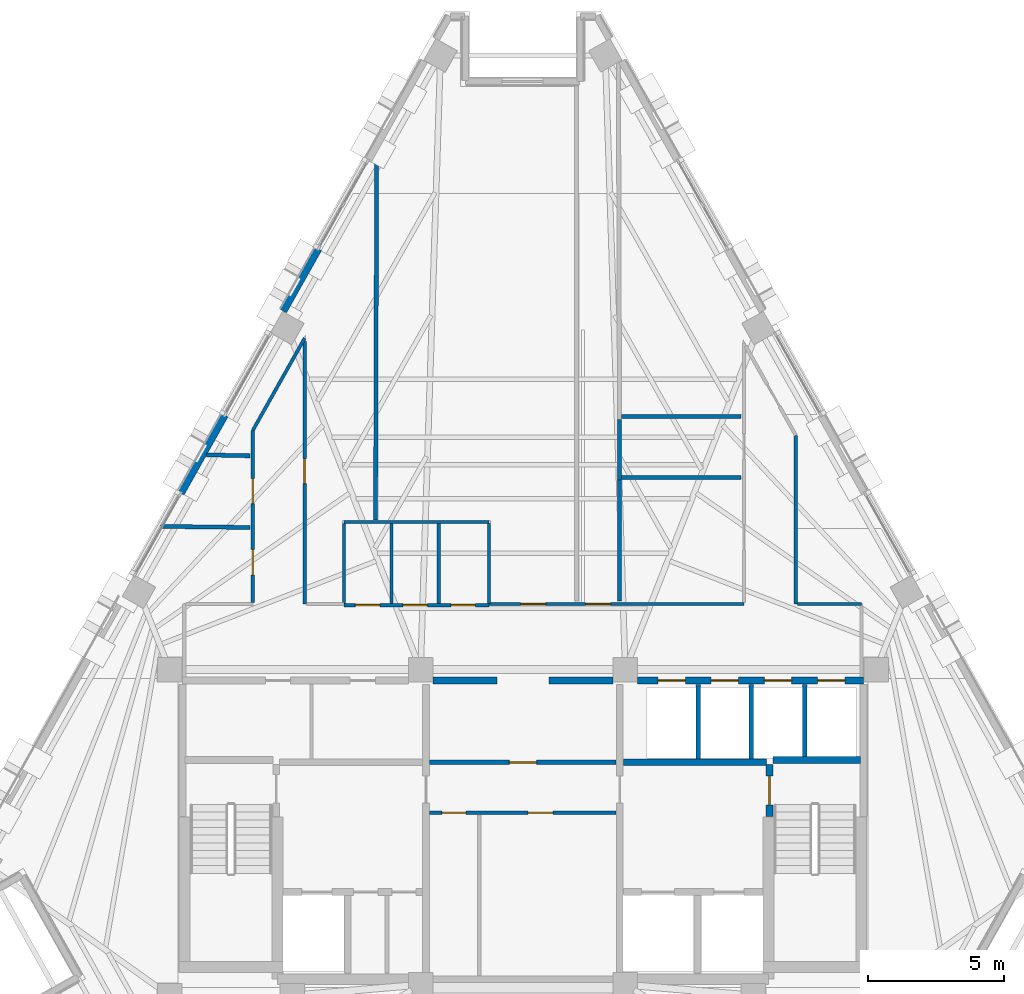
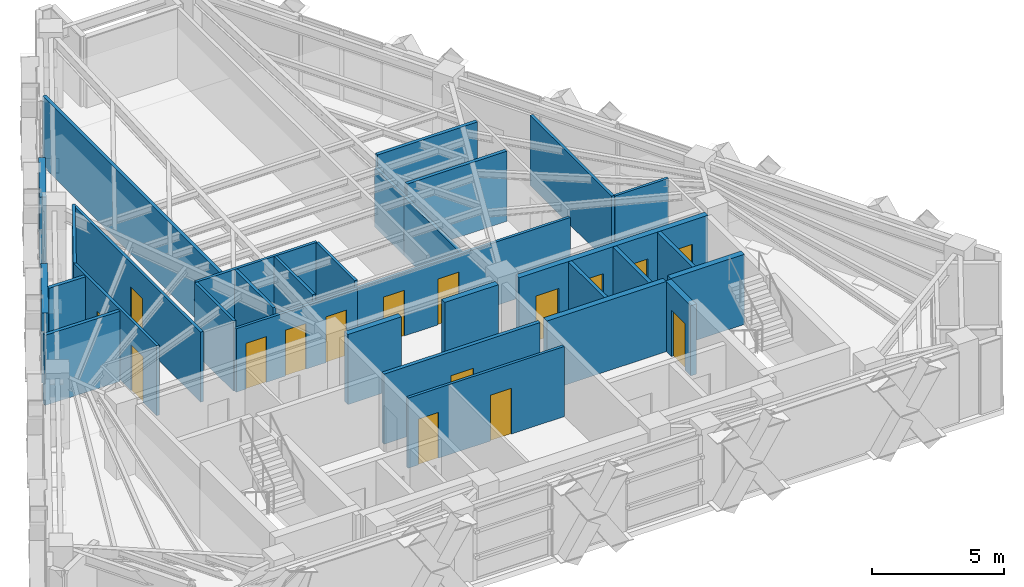
# One storey, part 8 of 12: 32 walls, 16 doors, 16 openings.
"""IFC4 building model written with IfcOpenShell, lengths in metres."""

import ifcopenshell
import ifcopenshell.guid

model = None  # the IFC model being written
_history = None  # IfcOwnerHistory: only IFC2X3 demands one
_inside = {}  # id of a spatial element -> (the spatial element, [elements in it])
_under = {}  # id of a project, library or spatial element -> (it, [spatial elements below it])
_declared = {}  # id of a project -> (the project, [libraries it declares])
_typed = {}  # id of a type object -> (the type object, [elements of that type])
_made_of = {}  # id of a material, layer set ... -> (it, [elements and type objects made of it])


def new_model(schema):
    """Start an empty IFC model of exactly this schema.

    Asked for "IFC4X3", IfcOpenShell would pick the latest addendum, in which some entities
    have other attributes; the version numbers below select the first issue.
    IFC2X3 requires an IfcOwnerHistory on every rooted entity: one is made here for all.
    """
    global model, _history
    if schema == "IFC4X3":
        model = ifcopenshell.file(schema_version=(4, 3, 0, 0))
    else:
        model = ifcopenshell.file(schema=schema)
    _inside.clear()
    _under.clear()
    _declared.clear()
    _typed.clear()
    _made_of.clear()
    _history = None
    if model.schema == "IFC2X3":
        org = make("IfcOrganization", Name="unknown")
        user = make(
            "IfcPersonAndOrganization",
            ThePerson=make("IfcPerson", FamilyName="unknown"),
            TheOrganization=org,
        )
        app = make(
            "IfcApplication",
            ApplicationDeveloper=org,
            Version="unknown",
            ApplicationFullName="unknown",
            ApplicationIdentifier="unknown",
        )
        _history = make(
            "IfcOwnerHistory",
            OwningUser=user,
            OwningApplication=app,
            ChangeAction="ADDED",
            CreationDate=0,
        )
    return model


def make(cls, **values):
    """One entity of the class cls with the attributes given. An attribute that is None is left unset."""
    return model.create_entity(
        cls, **{name: value for name, value in values.items() if value is not None}
    )


def rooted(cls, **values):
    """An entity with a GlobalId (a new one), such as an element, a storey or a relation."""
    return make(cls, GlobalId=ifcopenshell.guid.new(), OwnerHistory=_history, **values)


def si_unit(unit_type, name, prefix=None):
    """IfcSIUnit, for example si_unit("LENGTHUNIT", "METRE", prefix="MILLI")."""
    return make("IfcSIUnit", UnitType=unit_type, Prefix=prefix, Name=name)


def assignment(units):
    """IfcUnitAssignment: the units of a project."""
    return None if units is None else make("IfcUnitAssignment", Units=units)


def point(xyz):
    """IfcCartesianPoint."""
    return None if xyz is None else make("IfcCartesianPoint", Coordinates=xyz)


def direction(xyz):
    """IfcDirection."""
    return None if xyz is None else make("IfcDirection", DirectionRatios=xyz)


def frame(location, z_axis=None, x_axis=None):
    """IfcAxis2Placement3D, a coordinate frame: its origin and axes. An axis left out is left unset."""
    return make(
        "IfcAxis2Placement3D",
        Location=point(location),
        Axis=direction(z_axis),
        RefDirection=direction(x_axis),
    )


def frame_2d(location, x_axis=None):
    """IfcAxis2Placement2D, a coordinate frame in the plane: its origin and x axis."""
    return make(
        "IfcAxis2Placement2D", Location=point(location), RefDirection=direction(x_axis)
    )


def origin():
    """The frame at (0, 0, 0) with its axes left unset."""
    return frame((0.0, 0.0, 0.0))


def place(relative_to, where):
    """IfcLocalPlacement: puts the frame where relative to a parent placement (None: the world)."""
    return make(
        "IfcLocalPlacement", PlacementRelTo=relative_to, RelativePlacement=where
    )


def context(
    kind, dimensions, precision=None, world=None, true_north=None, identifier=None
):
    """IfcGeometricRepresentationContext, for example the 3D "Model" context."""
    return make(
        "IfcGeometricRepresentationContext",
        ContextIdentifier=identifier,
        ContextType=kind,
        CoordinateSpaceDimension=dimensions,
        Precision=precision,
        WorldCoordinateSystem=world,
        TrueNorth=true_north,
    )


def subcontext(parent, identifier, kind, view, scale=None):
    """IfcGeometricRepresentationSubContext, for example "Body" below "Model"."""
    return make(
        "IfcGeometricRepresentationSubContext",
        ContextIdentifier=identifier,
        ContextType=kind,
        ParentContext=parent,
        TargetScale=scale,
        TargetView=view,
    )


def project(units=None, contexts=None):
    """IfcProject with its units and contexts."""
    return rooted(
        "IfcProject",
        Name="project",
        RepresentationContexts=contexts,
        UnitsInContext=assignment(units),
    )


def spatial(cls, under=None, at=None, **own):
    """A site, building, storey or space (cls), placed at a placement, below another one or the project."""
    s = rooted(cls, ObjectPlacement=at, **own)
    if under is not None:
        _under.setdefault(under.id(), (under, []))[1].append(s)
    return s


def profile(cls, at=None, kind="AREA", **sizes):
    """A parametric profile (cls). Its sizes go by their IFC names, for example OverallWidth=200.0."""
    return make(cls, ProfileType=kind, Position=at, **sizes)


def rectangle(**sizes):
    """IfcRectangleProfileDef."""
    return profile("IfcRectangleProfileDef", **sizes)


def extrude(swept, where, along, depth):
    """IfcExtrudedAreaSolid: the profile swept, set in the frame where, extruded along a direction by depth."""
    return make(
        "IfcExtrudedAreaSolid",
        SweptArea=swept,
        Position=where,
        ExtrudedDirection=direction(along),
        Depth=depth,
    )


def shape(context_of_items, identifier, shape_type, items):
    """IfcShapeRepresentation: the items that make up one representation, for example the "Body"."""
    return make(
        "IfcShapeRepresentation",
        ContextOfItems=context_of_items,
        RepresentationIdentifier=identifier,
        RepresentationType=shape_type,
        Items=items,
    )


def material(Name=None, Category=None):
    """IfcMaterial."""
    return make("IfcMaterial", Name=Name, Category=Category)


def layer(
    of_material, thickness, ventilated=None, Name=None, Category=None, Priority=None
):
    """IfcMaterialLayer: one layer of a wall or slab, of a material (None: an air gap)."""
    return make(
        "IfcMaterialLayer",
        Material=of_material,
        LayerThickness=thickness,
        IsVentilated=ventilated,
        Name=Name,
        Category=Category,
        Priority=Priority,
    )


def layer_set(layers, Name=None):
    """IfcMaterialLayerSet."""
    return make("IfcMaterialLayerSet", MaterialLayers=layers, LayerSetName=Name)


def made_of(thing, what):
    """Note that an element or type object is made of a material, layer set ...; save() writes the relation."""
    if what is not None:
        _made_of.setdefault(what.id(), (what, []))[1].append(thing)
    return thing


def type_object(cls, material=None, **own):
    """A type object (cls), such as IfcWallType, which elements share."""
    return made_of(rooted(cls, **own), material)


def element(
    cls,
    number,
    at=None,
    inside=None,
    cuts=None,
    type_object=None,
    material=None,
    context=None,
    identifier="Body",
    shape_type=None,
    held_by="IfcProductDefinitionShape",
    body=None,
    shapes=None,
    **own,
):
    """One element of the class cls, such as IfcWall. Its Tag is "e" and its number.

    at: its placement. inside: the storey or other place that contains it. cuts: it is an
    opening in that element (IfcRelVoidsElement). A single representation is given by context,
    identifier, shape_type and body (its items); several are given by shapes. held_by: the class
    of the entity that holds the representations. save() writes the other relations.
    """
    e = rooted(cls, Tag="e%d" % number, ObjectPlacement=at, **own)
    if body is not None:
        shapes = [shape(context, identifier, shape_type, body)]
    if shapes is not None:
        e.Representation = make(held_by, Representations=shapes)
    if inside is not None:
        _inside.setdefault(inside.id(), (inside, []))[1].append(e)
    if cuts is not None:
        rooted(
            "IfcRelVoidsElement", RelatingBuildingElement=cuts, RelatedOpeningElement=e
        )
    if type_object is not None:
        _typed.setdefault(type_object.id(), (type_object, []))[1].append(e)
    return made_of(e, material)


def fill(opening, filler):
    """IfcRelFillsElement: the door or window that sits in an opening."""
    return rooted(
        "IfcRelFillsElement",
        RelatingOpeningElement=opening,
        RelatedBuildingElement=filler,
    )


def aggregate(whole, parts):
    """IfcRelAggregates: a whole, such as a stair, and the parts it consists of."""
    return rooted("IfcRelAggregates", RelatingObject=whole, RelatedObjects=parts)


def save(model, path):
    """Write the relations noted so far, then the file.

    IfcRelAggregates (storeys below a building ...), IfcRelContainedInSpatialStructure (elements
    in a storey), IfcRelDefinesByType, IfcRelAssociatesMaterial and IfcRelDeclares: one each for
    every whole, place, type object, material and project.
    """
    for whole, parts in _under.values():
        aggregate(whole, parts)
    for where, things in _inside.values():
        rooted(
            "IfcRelContainedInSpatialStructure",
            RelatedElements=things,
            RelatingStructure=where,
        )
    for kind, things in _typed.values():
        rooted("IfcRelDefinesByType", RelatedObjects=things, RelatingType=kind)
    for what, things in _made_of.values():
        rooted("IfcRelAssociatesMaterial", RelatedObjects=things, RelatingMaterial=what)
    for by, libraries in _declared.values():
        rooted("IfcRelDeclares", RelatingContext=by, RelatedDefinitions=libraries)
    model.write(path)


model = new_model("IFC4")

# Units and contexts
model_context = context("Model", 3, precision=1e-05, world=origin(), true_north=direction((0.0, 1.0)))
body_context = subcontext(model_context, "Body", "Model", "MODEL_VIEW")
ifc_project = project(units=[si_unit("LENGTHUNIT", "METRE"), si_unit("AREAUNIT", "SQUARE_METRE"), si_unit("VOLUMEUNIT", "CUBIC_METRE"), si_unit("PLANEANGLEUNIT", "RADIAN"), si_unit("MASSUNIT", "GRAM", prefix="KILO")], contexts=[model_context])

# Site, building, storey
site_placement = place(None, origin())
site = spatial("IfcSite", under=ifc_project, at=site_placement, CompositionType="ELEMENT")
building_placement = place(site_placement, origin())
building = spatial("IfcBuilding", under=site, at=building_placement, Name="Quenlor Broadcast Tower", CompositionType="ELEMENT")
storey_placement = place(building_placement, frame((0.0, 0.0, 193.89990234375)))
storey = spatial("IfcBuildingStorey", under=building, at=storey_placement, Name="L53", CompositionType="ELEMENT", Elevation=193.89990234375)

# Walls
ifc_material_1 = material(Name="Acoustic Double Stud Gypsum Partition", Category="other")
ifc_layer_1 = layer(ifc_material_1, 0.14990234375)
ifc_layer_set_1 = layer_set([ifc_layer_1], Name="Broadcast Studio Acoustic Partition 150")
wall_type_1 = type_object("IfcWallType", Name="Broadcast Studio Acoustic Partition 150", PredefinedType="PARTITIONING", material=ifc_layer_set_1)
wall_1_placement = place(storey_placement, frame((7.989990234375, 4.47314453125, 0.0), z_axis=(0.0, 0.0, 1.0), x_axis=(-1.0, 0.0, 0.0)))
element("IfcWall", 1, at=wall_1_placement, inside=storey, type_object=wall_type_1, Name="L53 Interior Wall PW-DV-02", PredefinedType="PARTITIONING", context=body_context, shape_type="SweptSolid", body=[
    extrude(rectangle(XDim=4.373046875, YDim=0.14990234375, at=frame_2d((2.1865234375, 0.0))), origin(), (0.0, 0.0, 1.0), 3.25),
])
wall_2_placement = place(storey_placement, frame((3.5400390625, 4.37109375, 0.0), z_axis=(0.0, 0.0, 1.0), x_axis=(0.0, -1.0, 0.0)))
element("IfcWall", 2, at=wall_2_placement, inside=storey, type_object=wall_type_1, Name="L53 Interior Wall PW-DV-04", PredefinedType="PARTITIONING", context=body_context, shape_type="SweptSolid", body=[
    extrude(rectangle(XDim=2.22900390625, YDim=0.14990234375, at=frame_2d((1.114501953125, 0.0))), origin(), (0.0, 0.0, 1.0), 2.721923828125),
])
wall_3_placement = place(storey_placement, frame((3.5400390625, 2.139892578125, 0.0), z_axis=(0.0, 0.0, 1.0), x_axis=(0.0, -1.0, 0.0)))
element("IfcWall", 3, at=wall_3_placement, inside=storey, type_object=wall_type_1, Name="L53 Interior Wall PW-DV-05", PredefinedType="PARTITIONING", context=body_context, shape_type="SweptSolid", body=[
    extrude(rectangle(XDim=4.429931640625, YDim=0.14990234375, at=frame_2d((2.21484375, 0.0))), origin(), (0.0, 0.0, 1.0), 2.721923828125),
])
wall_4_placement = place(storey_placement, frame((-5.39990234375, 0.672119140625, 0.0), z_axis=(0.0, 0.0, 1.0), x_axis=(0.002918134461, 0.999995742237, 0.0)))
element("IfcWall", 4, at=wall_4_placement, inside=storey, type_object=wall_type_1, Name="L53 Interior Wall PW-DV-06", PredefinedType="PARTITIONING", context=body_context, shape_type="SweptSolid", body=[
    extrude(rectangle(XDim=13.4697265625, YDim=0.14990234375, at=frame_2d((6.73486328125, 0.0))), origin(), (0.0, 0.0, 1.0), 3.25),
])
wall_5_placement = place(storey_placement, frame((-10.010009765625, 3.033447265625, 0.0), z_axis=(0.0, 0.0, 1.0), x_axis=(-0.999766045799, 0.021629925268, 0.0)))
element("IfcWall", 5, at=wall_5_placement, inside=storey, type_object=wall_type_1, Name="L53 Interior Wall PW-DV-07", PredefinedType="PARTITIONING", context=body_context, shape_type="SweptSolid", body=[
    extrude(rectangle(XDim=1.580322265625, YDim=0.14990234375, at=frame_2d((0.7900390625, 0.0))), origin(), (0.0, 0.0, 1.0), 3.25),
])
wall_6_placement = place(storey_placement, frame((7.989990234375, 2.241943359375, 0.0), z_axis=(0.0, 0.0, 1.0), x_axis=(-1.0, 0.0, 0.0)))
element("IfcWall", 6, at=wall_6_placement, inside=storey, type_object=wall_type_1, Name="L53 Interior Wall PW-DV-08", PredefinedType="PARTITIONING", context=body_context, shape_type="SweptSolid", body=[
    extrude(rectangle(XDim=4.373046875, YDim=0.14990234375, at=frame_2d((2.1865234375, 0.0))), origin(), (0.0, 0.0, 1.0), 3.25),
])
wall_7_placement = place(storey_placement, frame((-10.010009765625, 0.406494140625, 0.0), z_axis=(0.0, 0.0, 1.0), x_axis=(-0.999926820202, 0.012097695659, 0.0)))
element("IfcWall", 7, at=wall_7_placement, inside=storey, type_object=wall_type_1, Name="L53 Interior Wall PW-DV-09", PredefinedType="PARTITIONING", context=body_context, shape_type="SweptSolid", body=[
    extrude(rectangle(XDim=3.269287109375, YDim=0.14990234375, at=frame_2d((1.634765625, 0.0))), origin(), (0.0, 0.0, 1.0), 3.25),
])

# Wall, opening, door
ifc_material_2 = material(Name="Concrete C40/50", Category="concrete")
ifc_layer_2 = layer(ifc_material_2, 0.25)
ifc_layer_set_2 = layer_set([ifc_layer_2], Name="Fire Rated Concrete C40/50 Core Wall 250")
wall_type_2 = type_object("IfcWallType", Name="Fire Rated Concrete C40/50 Core Wall 250", PredefinedType="PARTITIONING", material=ifc_layer_set_2)
wall_8_placement = place(storey_placement, frame((9.0400390625, -10.179931640625, 0.0), z_axis=(0.0, 0.0, 1.0), x_axis=(0.0, 1.0, 0.0)))
wall_8 = element("IfcWall", 8, at=wall_8_placement, inside=storey, type_object=wall_type_2, Name="L53 Interior Wall CW-ST2-DR", PredefinedType="PARTITIONING", context=body_context, shape_type="SweptSolid", body=[
    extrude(rectangle(XDim=1.89990234375, YDim=0.25, at=frame_2d((0.949951171875, 0.0))), origin(), (0.0, 0.0, 1.0), 3.25),
])
opening_1_placement = place(wall_8_placement, frame((0.419921875, 0.0, 0.0)))
opening_1 = element("IfcOpeningElement", 9, at=opening_1_placement, cuts=wall_8, Name="Opening FD-1", PredefinedType="OPENING", context=body_context, shape_type="SweptSolid", body=[
    extrude(rectangle(XDim=1.050048828125, YDim=2.14990234375, at=frame_2d((0.52490234375, 1.074951171875))), frame((0.0, 0.135009765625, 0.0), z_axis=(0.0, -1.0, 0.0), x_axis=(1.0, 0.0, 0.0)), (0.0, 0.0, 1.0), 0.27001953125),
])
ifc_material_3 = material(Name="Fire Rated Steel Door Leaf", Category="steel")
door_type_1 = type_object("IfcDoorType", Name="Fire Isolated Stair Door 1050x2150", OperationType="NOTDEFINED", PredefinedType="DOOR", material=ifc_material_3)
door_1_placement = place(opening_1_placement, origin())
door_1 = element("IfcDoor", 10, at=door_1_placement, inside=storey, type_object=door_type_1, Name="L53 Door DR-ST2", OperationType="SINGLE_SWING_RIGHT", OverallHeight=2.14990234375, OverallWidth=1.050048828125, PredefinedType="DOOR", context=body_context, shape_type="SweptSolid", body=[
    extrude(rectangle(XDim=1.050048828125, YDim=2.14990234375, at=frame_2d((0.52490234375, 1.074951171875))), frame((0.0, 0.02490234375, 0.0), z_axis=(0.0, -1.0, 0.0), x_axis=(1.0, 0.0, 0.0)), (0.0, 0.0, 1.0), 0.050048828125),
])
fill(opening_1, door_1)

# Walls
wall_9_placement = place(storey_placement, frame((9.159912109375, -8.1201171875, 0.0), z_axis=(0.0, 0.0, 1.0), x_axis=(1.0, 0.0, 0.0)))
element("IfcWall", 11, at=wall_9_placement, inside=storey, type_object=wall_type_2, Name="L53 Interior Wall CW-ST2-N", PredefinedType="PARTITIONING", context=body_context, shape_type="SweptSolid", body=[
    extrude(rectangle(XDim=3.219970703125, YDim=0.25, at=frame_2d((1.60986328125, 0.0))), origin(), (0.0, 0.0, 1.0), 3.25),
])
wall_10_placement = place(storey_placement, frame((3.679931640625, -8.199951171875, 0.0), z_axis=(0.0, 0.0, 1.0), x_axis=(1.0, 0.0, 0.0)))
element("IfcWall", 12, at=wall_10_placement, inside=storey, type_object=wall_type_2, Name="L53 Interior Wall CW-FFE-N", PredefinedType="PARTITIONING", context=body_context, shape_type="SweptSolid", body=[
    extrude(rectangle(XDim=5.239990234375, YDim=0.25, at=frame_2d((2.6201171875, 0.0))), origin(), (0.0, 0.0, 1.0), 3.25),
])

# Wall, openings, doors
wall_11_placement = place(storey_placement, frame((4.201904296875, -5.199951171875, 0.0), z_axis=(0.0, 0.0, 1.0), x_axis=(1.0, 0.0, 0.0)))
wall_11 = element("IfcWall", 13, at=wall_11_placement, inside=storey, type_object=wall_type_2, Name="L53 Interior Wall CW-N-E", PredefinedType="PARTITIONING", context=body_context, shape_type="SweptSolid", body=[
    extrude(rectangle(XDim=8.278076171875, YDim=0.25, at=frame_2d((4.13916015625, 0.0))), origin(), (0.0, 0.0, 1.0), 3.25),
])
opening_2_placement = place(wall_11_placement, frame((0.748046875, 0.0, 0.0)))
opening_2 = element("IfcOpeningElement", 14, at=opening_2_placement, cuts=wall_11, Name="Opening LD-PL-H1", PredefinedType="OPENING", context=body_context, shape_type="SweptSolid", body=[
    extrude(rectangle(XDim=1.0, YDim=2.14990234375, at=frame_2d((0.5, 1.074951171875))), frame((0.0, 0.135009765625, 0.0), z_axis=(0.0, -1.0, 0.0), x_axis=(1.0, 0.0, 0.0)), (0.0, 0.0, 1.0), 0.27001953125),
])
opening_3_placement = place(wall_11_placement, frame((2.697998046875, 0.0, 0.0)))
opening_3 = element("IfcOpeningElement", 15, at=opening_3_placement, cuts=wall_11, Name="Opening LD-PL-H2", PredefinedType="OPENING", context=body_context, shape_type="SweptSolid", body=[
    extrude(rectangle(XDim=1.0, YDim=2.14990234375, at=frame_2d((0.5, 1.074951171875))), frame((0.0, 0.135009765625, 0.0), z_axis=(0.0, -1.0, 0.0), x_axis=(1.0, 0.0, 0.0)), (0.0, 0.0, 1.0), 0.27001953125),
])
opening_4_placement = place(wall_11_placement, frame((4.64794921875, 0.0, 0.0)))
opening_4 = element("IfcOpeningElement", 16, at=opening_4_placement, cuts=wall_11, Name="Opening LD-PL-H3", PredefinedType="OPENING", context=body_context, shape_type="SweptSolid", body=[
    extrude(rectangle(XDim=1.0, YDim=2.14990234375, at=frame_2d((0.5, 1.074951171875))), frame((0.0, 0.135009765625, 0.0), z_axis=(0.0, -1.0, 0.0), x_axis=(1.0, 0.0, 0.0)), (0.0, 0.0, 1.0), 0.27001953125),
])
opening_5_placement = place(wall_11_placement, frame((6.597900390625, 0.0, 0.0)))
opening_5 = element("IfcOpeningElement", 17, at=opening_5_placement, cuts=wall_11, Name="Opening LD-PL-H4", PredefinedType="OPENING", context=body_context, shape_type="SweptSolid", body=[
    extrude(rectangle(XDim=1.0, YDim=2.14990234375, at=frame_2d((0.5, 1.074951171875))), frame((0.0, 0.135009765625, 0.0), z_axis=(0.0, -1.0, 0.0), x_axis=(1.0, 0.0, 0.0)), (0.0, 0.0, 1.0), 0.27001953125),
])
ifc_material_4 = material(Name="Brushed Stainless Steel", Category="steel")
door_type_2 = type_object("IfcDoorType", Name="Passenger Lift Sliding Landing Door 1000x2150", OperationType="NOTDEFINED", PredefinedType="DOOR", material=ifc_material_4)
door_2_placement = place(opening_2_placement, origin())
door_2 = element("IfcDoor", 18, at=door_2_placement, inside=storey, type_object=door_type_2, Name="L53 Door LD-PL-H1", OperationType="SLIDING_TO_RIGHT", OverallHeight=2.14990234375, OverallWidth=1.0, PredefinedType="DOOR", context=body_context, shape_type="SweptSolid", body=[
    extrude(rectangle(XDim=1.0, YDim=2.14990234375, at=frame_2d((0.5, 1.074951171875))), frame((0.0, 0.02490234375, 0.0), z_axis=(0.0, -1.0, 0.0), x_axis=(1.0, 0.0, 0.0)), (0.0, 0.0, 1.0), 0.050048828125),
])
fill(opening_2, door_2)
door_3_placement = place(opening_3_placement, origin())
door_3 = element("IfcDoor", 19, at=door_3_placement, inside=storey, type_object=door_type_2, Name="L53 Door LD-PL-H2", OperationType="SLIDING_TO_RIGHT", OverallHeight=2.14990234375, OverallWidth=1.0, PredefinedType="DOOR", context=body_context, shape_type="SweptSolid", body=[
    extrude(rectangle(XDim=1.0, YDim=2.14990234375, at=frame_2d((0.5, 1.074951171875))), frame((0.0, 0.02490234375, 0.0), z_axis=(0.0, -1.0, 0.0), x_axis=(1.0, 0.0, 0.0)), (0.0, 0.0, 1.0), 0.050048828125),
])
fill(opening_3, door_3)
door_4_placement = place(opening_4_placement, origin())
door_4 = element("IfcDoor", 20, at=door_4_placement, inside=storey, type_object=door_type_2, Name="L53 Door LD-PL-H3", OperationType="SLIDING_TO_RIGHT", OverallHeight=2.14990234375, OverallWidth=1.0, PredefinedType="DOOR", context=body_context, shape_type="SweptSolid", body=[
    extrude(rectangle(XDim=1.0, YDim=2.14990234375, at=frame_2d((0.5, 1.074951171875))), frame((0.0, 0.02490234375, 0.0), z_axis=(0.0, -1.0, 0.0), x_axis=(1.0, 0.0, 0.0)), (0.0, 0.0, 1.0), 0.050048828125),
])
fill(opening_4, door_4)
door_5_placement = place(opening_5_placement, origin())
door_5 = element("IfcDoor", 21, at=door_5_placement, inside=storey, type_object=door_type_2, Name="L53 Door LD-PL-H4", OperationType="SLIDING_TO_RIGHT", OverallHeight=2.14990234375, OverallWidth=1.0, PredefinedType="DOOR", context=body_context, shape_type="SweptSolid", body=[
    extrude(rectangle(XDim=1.0, YDim=2.14990234375, at=frame_2d((0.5, 1.074951171875))), frame((0.0, 0.02490234375, 0.0), z_axis=(0.0, -1.0, 0.0), x_axis=(1.0, 0.0, 0.0)), (0.0, 0.0, 1.0), 0.050048828125),
])
fill(opening_5, door_5)

# Walls
for number, where, z_axis, x_axis, name in (
    (22, (-3.298095703125, -5.199951171875, 0.0), (0.0, 0.0, 1.0), (1.0, 0.0, 0.0), "L53 Interior Wall CW-N-M1"),
    (23, (0.949951171875, -5.199951171875, 0.0), (0.0, 0.0, 1.0), (1.0, 0.0, 0.0), "L53 Interior Wall CW-N-M2"),
):
    element("IfcWall", number, at=place(storey_placement, frame(where, z_axis=z_axis, x_axis=x_axis)), inside=storey, type_object=wall_type_2, Name=name, PredefinedType="PARTITIONING", context=body_context, shape_type="SweptSolid", body=[
        extrude(rectangle(XDim=2.34814453125, YDim=0.25, at=frame_2d((1.174072265625, 0.0))), origin(), (0.0, 0.0, 1.0), 3.25),
    ])
ifc_material_5 = material(Name="Gypsum Fireboard Partition", Category="other")
ifc_layer_3 = layer(ifc_material_5, 0.159912109375)
ifc_layer_set_3 = layer_set([ifc_layer_3], Name="Fire Rated Shaft and Corridor Partition 160")
wall_type_3 = type_object("IfcWallType", Name="Fire Rated Shaft and Corridor Partition 160", PredefinedType="PARTITIONING", material=ifc_layer_set_3)
for number, where, z_axis, x_axis, name in (
    (24, (6.425048828125, -8.072998046875, 0.0), (0.0, 0.0, 1.0), (0.0, 1.0, 0.0), "L53 Interior Wall CW-PLH-D1"),
    (25, (8.375, -8.072998046875, 0.0), (0.0, 0.0, 1.0), (0.0, 1.0, 0.0), "L53 Interior Wall CW-PLH-D2"),
):
    element("IfcWall", number, at=place(storey_placement, frame(where, z_axis=z_axis, x_axis=x_axis)), inside=storey, type_object=wall_type_3, Name=name, PredefinedType="PARTITIONING", context=body_context, shape_type="SweptSolid", body=[
        extrude(rectangle(XDim=2.73291015625, YDim=0.159912109375, at=frame_2d((1.366455078125, 0.0))), origin(), (0.0, 0.0, 1.0), 3.25),
    ])
wall_12_placement = place(storey_placement, frame((10.324951171875, -7.992919921875, 0.0), z_axis=(0.0, 0.0, 1.0), x_axis=(0.0, 1.0, 0.0)))
element("IfcWall", 26, at=wall_12_placement, inside=storey, type_object=wall_type_3, Name="L53 Interior Wall CW-PLH-D3", PredefinedType="PARTITIONING", context=body_context, shape_type="SweptSolid", body=[
    extrude(rectangle(XDim=2.65283203125, YDim=0.159912109375, at=frame_2d((1.326416015625, 0.0))), origin(), (0.0, 0.0, 1.0), 3.25),
])

# Wall, opening, door
wall_13_placement = place(storey_placement, frame((-3.419921875, -8.199951171875, 0.0), z_axis=(0.0, 0.0, 1.0), x_axis=(1.0, 0.0, 0.0)))
wall_13 = element("IfcWall", 27, at=wall_13_placement, inside=storey, type_object=wall_type_3, Name="L53 Interior Wall CW-M-BACK", PredefinedType="PARTITIONING", context=body_context, shape_type="SweptSolid", body=[
    extrude(rectangle(XDim=6.83984375, YDim=0.159912109375, at=frame_2d((3.419921875, 0.0))), origin(), (0.0, 0.0, 1.0), 3.25),
])
opening_6_placement = place(wall_13_placement, frame((2.919921875, 0.0, 0.0)))
opening_6 = element("IfcOpeningElement", 28, at=opening_6_placement, cuts=wall_13, Name="Opening FD-2", PredefinedType="OPENING", context=body_context, shape_type="SweptSolid", body=[
    extrude(rectangle(XDim=1.0, YDim=2.14990234375, at=frame_2d((0.5, 1.074951171875))), frame((0.0, 0.08984375, 0.0), z_axis=(0.0, -1.0, 0.0), x_axis=(1.0, 0.0, 0.0)), (0.0, 0.0, 1.0), 0.179931640625),
])
ifc_material_6 = material(Name="Fire Rated Glazed Steel Door", Category="steel")
door_type_3 = type_object("IfcDoorType", Name="Firefighting Lobby Smoke Door 1000x2150", OperationType="NOTDEFINED", PredefinedType="DOOR", material=ifc_material_6)
door_6_placement = place(opening_6_placement, origin())
door_6 = element("IfcDoor", 29, at=door_6_placement, inside=storey, type_object=door_type_3, Name="L53 Door DR-CCRP", OperationType="SINGLE_SWING_LEFT", OverallHeight=2.14990234375, OverallWidth=1.0, PredefinedType="DOOR", context=body_context, shape_type="SweptSolid", body=[
    extrude(rectangle(XDim=1.0, YDim=2.14990234375, at=frame_2d((0.5, 1.074951171875))), frame((0.0, 0.02490234375, 0.0), z_axis=(0.0, -1.0, 0.0), x_axis=(1.0, 0.0, 0.0)), (0.0, 0.0, 1.0), 0.050048828125),
])
fill(opening_6, door_6)

# Wall, openings, doors
ifc_material_7 = material(Name="Gypsum Plasterboard Partition", Category="other")
ifc_layer_4 = layer(ifc_material_7, 0.1201171875)
ifc_layer_set_4 = layer_set([ifc_layer_4], Name="Standard Office Partition 120")
wall_type_4 = type_object("IfcWallType", Name="Standard Office Partition 120", PredefinedType="PARTITIONING", material=ifc_layer_set_4)
wall_14_placement = place(storey_placement, frame((-3.419921875, -10.050048828125, 0.0), z_axis=(0.0, 0.0, 1.0), x_axis=(1.0, 0.0, 0.0)))
wall_14 = element("IfcWall", 30, at=wall_14_placement, inside=storey, type_object=wall_type_4, Name="L53 Interior Wall CW-MS-N", PredefinedType="PARTITIONING", context=body_context, shape_type="SweptSolid", body=[
    extrude(rectangle(XDim=6.83984375, YDim=0.1201171875, at=frame_2d((3.419921875, 0.0))), origin(), (0.0, 0.0, 1.0), 3.25),
])
opening_7_placement = place(wall_14_placement, frame((0.449951171875, 0.0, 0.0)))
opening_7 = element("IfcOpeningElement", 31, at=opening_7_placement, cuts=wall_14, Name="Opening ID-4", PredefinedType="OPENING", context=body_context, shape_type="SweptSolid", body=[
    extrude(rectangle(XDim=0.8798828125, YDim=2.1201171875, at=frame_2d((0.43994140625, 1.06005859375))), frame((0.0, 0.070068359375, 0.0), z_axis=(0.0, -1.0, 0.0), x_axis=(1.0, 0.0, 0.0)), (0.0, 0.0, 1.0), 0.14013671875),
])
opening_8_placement = place(wall_14_placement, frame((3.60009765625, 0.0, 0.0)))
opening_8 = element("IfcOpeningElement", 32, at=opening_8_placement, cuts=wall_14, Name="Opening ID-1", PredefinedType="OPENING", context=body_context, shape_type="SweptSolid", body=[
    extrude(rectangle(XDim=0.919921875, YDim=2.1201171875, at=frame_2d((0.4599609375, 1.06005859375))), frame((0.0, 0.070068359375, 0.0), z_axis=(0.0, -1.0, 0.0), x_axis=(1.0, 0.0, 0.0)), (0.0, 0.0, 1.0), 0.14013671875),
])
ifc_material_8 = material(Name="Solid Core Timber Oak", Category="wood")
door_type_4 = type_object("IfcDoorType", Name="Service Closet Timber Door 880x2120", OperationType="NOTDEFINED", PredefinedType="DOOR", material=ifc_material_8)
door_7_placement = place(opening_7_placement, origin())
door_7 = element("IfcDoor", 33, at=door_7_placement, inside=storey, type_object=door_type_4, Name="L53 Door DR-RCMA", OperationType="SINGLE_SWING_LEFT", OverallHeight=2.1201171875, OverallWidth=0.8798828125, PredefinedType="DOOR", context=body_context, shape_type="SweptSolid", body=[
    extrude(rectangle(XDim=0.8798828125, YDim=2.1201171875, at=frame_2d((0.43994140625, 1.06005859375))), frame((0.0, 0.02490234375, 0.0), z_axis=(0.0, -1.0, 0.0), x_axis=(1.0, 0.0, 0.0)), (0.0, 0.0, 1.0), 0.050048828125),
])
fill(opening_7, door_7)
ifc_material_9 = material(Name="Solid Core Timber Oak", Category="wood")
door_type_5 = type_object("IfcDoorType", Name="Single Leaf Timber Office Door 920x2120", OperationType="NOTDEFINED", PredefinedType="DOOR", material=ifc_material_9)
door_8_placement = place(opening_8_placement, origin())
door_8 = element("IfcDoor", 34, at=door_8_placement, inside=storey, type_object=door_type_5, Name="L53 Door DR-RCMB", OperationType="SINGLE_SWING_RIGHT", OverallHeight=2.1201171875, OverallWidth=0.919921875, PredefinedType="DOOR", context=body_context, shape_type="SweptSolid", body=[
    extrude(rectangle(XDim=0.919921875, YDim=2.1201171875, at=frame_2d((0.4599609375, 1.06005859375))), frame((0.0, 0.02490234375, 0.0), z_axis=(0.0, -1.0, 0.0), x_axis=(1.0, 0.0, 0.0)), (0.0, 0.0, 1.0), 0.050048828125),
])
fill(opening_8, door_8)

wall_15_placement = place(storey_placement, frame((-6.56005859375, -2.43994140625, 0.0), z_axis=(0.0, 0.0, 1.0), x_axis=(1.0, 0.0, 0.0)))
wall_15 = element("IfcWall", 35, at=wall_15_placement, inside=storey, type_object=wall_type_4, Name="L53 Interior Wall PW-WC-S", PredefinedType="PARTITIONING", context=body_context, shape_type="SweptSolid", body=[
    extrude(rectangle(XDim=5.320068359375, YDim=0.1201171875, at=frame_2d((2.66015625, 0.0))), origin(), (0.0, 0.0, 1.0), 2.94287109375),
])
opening_9_placement = place(wall_15_placement, frame((0.419921875, 0.0, 0.0)))
opening_9 = element("IfcOpeningElement", 36, at=opening_9_placement, cuts=wall_15, Name="Opening ID-3", PredefinedType="OPENING", context=body_context, shape_type="SweptSolid", body=[
    extrude(rectangle(XDim=0.89990234375, YDim=2.1201171875, at=frame_2d((0.449951171875, 1.06005859375))), frame((0.0, 0.070068359375, 0.0), z_axis=(0.0, -1.0, 0.0), x_axis=(1.0, 0.0, 0.0)), (0.0, 0.0, 1.0), 0.14013671875),
])
opening_10_placement = place(wall_15_placement, frame((2.159912109375, 0.0, 0.0)))
opening_10 = element("IfcOpeningElement", 37, at=opening_10_placement, cuts=wall_15, Name="Opening ID-3", PredefinedType="OPENING", context=body_context, shape_type="SweptSolid", body=[
    extrude(rectangle(XDim=0.89990234375, YDim=2.1201171875, at=frame_2d((0.449951171875, 1.06005859375))), frame((0.0, 0.070068359375, 0.0), z_axis=(0.0, -1.0, 0.0), x_axis=(1.0, 0.0, 0.0)), (0.0, 0.0, 1.0), 0.14013671875),
])
opening_11_placement = place(wall_15_placement, frame((3.919921875, 0.0, 0.0)))
opening_11 = element("IfcOpeningElement", 38, at=opening_11_placement, cuts=wall_15, Name="Opening ID-3", PredefinedType="OPENING", context=body_context, shape_type="SweptSolid", body=[
    extrude(rectangle(XDim=0.89990234375, YDim=2.1201171875, at=frame_2d((0.449951171875, 1.06005859375))), frame((0.0, 0.070068359375, 0.0), z_axis=(0.0, -1.0, 0.0), x_axis=(1.0, 0.0, 0.0)), (0.0, 0.0, 1.0), 0.14013671875),
])
ifc_material_10 = material(Name="Moisture Resistant Timber Oak", Category="wood")
door_type_6 = type_object("IfcDoorType", Name="Washroom Privacy Door 900x2120", OperationType="NOTDEFINED", PredefinedType="DOOR", material=ifc_material_10)
door_9_placement = place(opening_9_placement, origin())
door_9 = element("IfcDoor", 39, at=door_9_placement, inside=storey, type_object=door_type_6, Name="L53 Door DR-FWC", OperationType="SINGLE_SWING_LEFT", OverallHeight=2.1201171875, OverallWidth=0.89990234375, PredefinedType="DOOR", context=body_context, shape_type="SweptSolid", body=[
    extrude(rectangle(XDim=0.89990234375, YDim=2.1201171875, at=frame_2d((0.449951171875, 1.06005859375))), frame((0.0, 0.02490234375, 0.0), z_axis=(0.0, -1.0, 0.0), x_axis=(1.0, 0.0, 0.0)), (0.0, 0.0, 1.0), 0.050048828125),
])
fill(opening_9, door_9)
door_10_placement = place(opening_10_placement, origin())
door_10 = element("IfcDoor", 40, at=door_10_placement, inside=storey, type_object=door_type_6, Name="L53 Door DR-MWC", OperationType="SINGLE_SWING_RIGHT", OverallHeight=2.1201171875, OverallWidth=0.89990234375, PredefinedType="DOOR", context=body_context, shape_type="SweptSolid", body=[
    extrude(rectangle(XDim=0.89990234375, YDim=2.1201171875, at=frame_2d((0.449951171875, 1.06005859375))), frame((0.0, 0.02490234375, 0.0), z_axis=(0.0, -1.0, 0.0), x_axis=(1.0, 0.0, 0.0)), (0.0, 0.0, 1.0), 0.050048828125),
])
fill(opening_10, door_10)
door_11_placement = place(opening_11_placement, origin())
door_11 = element("IfcDoor", 41, at=door_11_placement, inside=storey, type_object=door_type_6, Name="L53 Door DR-AWC", OperationType="SINGLE_SWING_RIGHT", OverallHeight=2.1201171875, OverallWidth=0.89990234375, PredefinedType="DOOR", context=body_context, shape_type="SweptSolid", body=[
    extrude(rectangle(XDim=0.89990234375, YDim=2.1201171875, at=frame_2d((0.449951171875, 1.06005859375))), frame((0.0, 0.02490234375, 0.0), z_axis=(0.0, -1.0, 0.0), x_axis=(1.0, 0.0, 0.0)), (0.0, 0.0, 1.0), 0.050048828125),
])
fill(opening_11, door_11)

# Walls
wall_16_placement = place(storey_placement, frame((-6.56005859375, 0.610107421875, 0.0), z_axis=(0.0, 0.0, 1.0), x_axis=(1.0, 0.0, 0.0)))
element("IfcWall", 42, at=wall_16_placement, inside=storey, type_object=wall_type_4, Name="L53 Interior Wall PW-WC-N", PredefinedType="PARTITIONING", context=body_context, shape_type="SweptSolid", body=[
    extrude(rectangle(XDim=5.320068359375, YDim=0.1201171875, at=frame_2d((2.66015625, 0.0))), origin(), (0.0, 0.0, 1.0), 3.25),
])
for number, where, z_axis, x_axis, name in (
    (43, (-6.56005859375, -2.3779296875, 0.0), (0.0, 0.0, 1.0), (0.0, 1.0, 0.0), "L53 Interior Wall PW-WC-W"),
    (44, (-4.820068359375, -2.3779296875, 0.0), (0.0, 0.0, 1.0), (0.0, 1.0, 0.0), "L53 Interior Wall PW-WC-M1"),
    (45, (-3.080078125, -2.3779296875, 0.0), (0.0, 0.0, 1.0), (0.0, 1.0, 0.0), "L53 Interior Wall PW-WC-M2"),
    (46, (-1.239990234375, -2.3779296875, 0.0), (0.0, 0.0, 1.0), (0.0, 1.0, 0.0), "L53 Interior Wall PW-WC-E"),
):
    element("IfcWall", number, at=place(storey_placement, frame(where, z_axis=z_axis, x_axis=x_axis)), inside=storey, type_object=wall_type_4, Name=name, PredefinedType="PARTITIONING", context=body_context, shape_type="SweptSolid", body=[
        extrude(rectangle(XDim=2.926025390625, YDim=0.1201171875, at=frame_2d((1.462890625, 0.0))), origin(), (0.0, 0.0, 1.0), 3.25),
    ])

# Wall, openings, doors
wall_17_placement = place(storey_placement, frame((-9.89990234375, -2.337890625, 0.0), z_axis=(0.0, 0.0, 1.0), x_axis=(0.0, 1.0, 0.0)))
wall_17 = element("IfcWall", 47, at=wall_17_placement, inside=storey, type_object=wall_type_4, Name="L53 Interior Wall PW-CR-03", PredefinedType="PARTITIONING", context=body_context, shape_type="SweptSolid", body=[
    extrude(rectangle(XDim=6.302734375, YDim=0.1201171875, at=frame_2d((3.1513671875, 0.0))), origin(), (0.0, 0.0, 1.0), 3.25),
])
opening_12_placement = place(wall_17_placement, frame((3.614990234375, 0.0, 0.0)))
opening_12 = element("IfcOpeningElement", 48, at=opening_12_placement, cuts=wall_17, Name="Opening ID-1", PredefinedType="OPENING", context=body_context, shape_type="SweptSolid", body=[
    extrude(rectangle(XDim=0.919921875, YDim=2.1201171875, at=frame_2d((0.4599609375, 1.06005859375))), frame((0.0, 0.070068359375, 0.0), z_axis=(0.0, -1.0, 0.0), x_axis=(1.0, 0.0, 0.0)), (0.0, 0.0, 1.0), 0.14013671875),
])
opening_13_placement = place(wall_17_placement, frame((1.010009765625, 0.0, 0.0)))
opening_13 = element("IfcOpeningElement", 49, at=opening_13_placement, cuts=wall_17, Name="Opening ID-1", PredefinedType="OPENING", context=body_context, shape_type="SweptSolid", body=[
    extrude(rectangle(XDim=0.919921875, YDim=2.1201171875, at=frame_2d((0.4599609375, 1.06005859375))), frame((0.0, 0.070068359375, 0.0), z_axis=(0.0, -1.0, 0.0), x_axis=(1.0, 0.0, 0.0)), (0.0, 0.0, 1.0), 0.14013671875),
])
door_12_placement = place(opening_12_placement, origin())
door_12 = element("IfcDoor", 50, at=door_12_placement, inside=storey, type_object=door_type_5, Name="L53 Door DR-RM06", OperationType="SINGLE_SWING_RIGHT", OverallHeight=2.1201171875, OverallWidth=0.919921875, PredefinedType="DOOR", context=body_context, shape_type="SweptSolid", body=[
    extrude(rectangle(XDim=0.919921875, YDim=2.1201171875, at=frame_2d((0.4599609375, 1.06005859375))), frame((0.0, 0.02490234375, 0.0), z_axis=(0.0, -1.0, 0.0), x_axis=(1.0, 0.0, 0.0)), (0.0, 0.0, 1.0), 0.050048828125),
])
fill(opening_12, door_12)
door_13_placement = place(opening_13_placement, origin())
door_13 = element("IfcDoor", 51, at=door_13_placement, inside=storey, type_object=door_type_5, Name="L53 Door DR-RM08", OperationType="SINGLE_SWING_RIGHT", OverallHeight=2.1201171875, OverallWidth=0.919921875, PredefinedType="DOOR", context=body_context, shape_type="SweptSolid", body=[
    extrude(rectangle(XDim=0.919921875, YDim=2.1201171875, at=frame_2d((0.4599609375, 1.06005859375))), frame((0.0, 0.02490234375, 0.0), z_axis=(0.0, -1.0, 0.0), x_axis=(1.0, 0.0, 0.0)), (0.0, 0.0, 1.0), 0.050048828125),
])
fill(opening_13, door_13)

# Wall
wall_18_placement = place(storey_placement, frame((-9.89892578125, 3.966796875, 0.0), z_axis=(0.0, 0.0, 1.0), x_axis=(0.490276203052, 0.871567120032, 0.0)))
element("IfcWall", 52, at=wall_18_placement, inside=storey, type_object=wall_type_4, Name="L53 Interior Wall PW-CR-04", PredefinedType="PARTITIONING", context=body_context, shape_type="SweptSolid", body=[
    extrude(rectangle(XDim=3.873291015625, YDim=0.1201171875, at=frame_2d((1.9365234375, 0.0))), origin(), (0.0, 0.0, 1.0), 3.25),
])

# Wall, opening, door
wall_19_placement = place(storey_placement, frame((-8.0, 7.216064453125, 0.0), z_axis=(0.0, 0.0, 1.0), x_axis=(0.0, -1.0, 0.0)))
wall_19 = element("IfcWall", 53, at=wall_19_placement, inside=storey, type_object=wall_type_4, Name="L53 Interior Wall PW-CR-05", PredefinedType="PARTITIONING", context=body_context, shape_type="SweptSolid", body=[
    extrude(rectangle(XDim=9.615966796875, YDim=0.1201171875, at=frame_2d((4.80810546875, 0.0))), origin(), (0.0, 0.0, 1.0), 3.25),
])
opening_14_placement = place(wall_19_placement, frame((4.283935546875, 0.0, 0.0)))
opening_14 = element("IfcOpeningElement", 54, at=opening_14_placement, cuts=wall_19, Name="Opening ID-1", PredefinedType="OPENING", context=body_context, shape_type="SweptSolid", body=[
    extrude(rectangle(XDim=0.919921875, YDim=2.1201171875, at=frame_2d((0.4599609375, 1.06005859375))), frame((0.0, 0.070068359375, 0.0), z_axis=(0.0, -1.0, 0.0), x_axis=(1.0, 0.0, 0.0)), (0.0, 0.0, 1.0), 0.14013671875),
])
door_14_placement = place(opening_14_placement, origin())
door_14 = element("IfcDoor", 55, at=door_14_placement, inside=storey, type_object=door_type_5, Name="L53 Door DR-RM04", OperationType="SINGLE_SWING_RIGHT", OverallHeight=2.1201171875, OverallWidth=0.919921875, PredefinedType="DOOR", context=body_context, shape_type="SweptSolid", body=[
    extrude(rectangle(XDim=0.919921875, YDim=2.1201171875, at=frame_2d((0.4599609375, 1.06005859375))), frame((0.0, 0.02490234375, 0.0), z_axis=(0.0, -1.0, 0.0), x_axis=(1.0, 0.0, 0.0)), (0.0, 0.0, 1.0), 0.050048828125),
])
fill(opening_14, door_14)

# Wall, openings, doors
wall_20_placement = place(storey_placement, frame((-1.238037109375, -2.39990234375, 0.0), z_axis=(0.0, 0.0, 1.0), x_axis=(1.0, 0.0, 0.0)))
wall_20 = element("IfcWall", 56, at=wall_20_placement, inside=storey, type_object=wall_type_4, Name="L53 Interior Wall PW-CR-06S2", PredefinedType="PARTITIONING", context=body_context, shape_type="SweptSolid", body=[
    extrude(rectangle(XDim=9.338134765625, YDim=0.1201171875, at=frame_2d((4.6689453125, 0.0))), origin(), (0.0, 0.0, 1.0), 2.94287109375),
])
opening_15_placement = place(wall_20_placement, frame((3.531982421875, 0.0, 0.0)))
opening_15 = element("IfcOpeningElement", 57, at=opening_15_placement, cuts=wall_20, Name="Opening ID-1", PredefinedType="OPENING", context=body_context, shape_type="SweptSolid", body=[
    extrude(rectangle(XDim=0.919921875, YDim=2.1201171875, at=frame_2d((0.4599609375, 1.06005859375))), frame((0.0, 0.070068359375, 0.0), z_axis=(0.0, -1.0, 0.0), x_axis=(1.0, 0.0, 0.0)), (0.0, 0.0, 1.0), 0.14013671875),
])
opening_16_placement = place(wall_20_placement, frame((1.152099609375, 0.0, 0.0)))
opening_16 = element("IfcOpeningElement", 58, at=opening_16_placement, cuts=wall_20, Name="Opening ID-1", PredefinedType="OPENING", context=body_context, shape_type="SweptSolid", body=[
    extrude(rectangle(XDim=0.919921875, YDim=2.1201171875, at=frame_2d((0.4599609375, 1.06005859375))), frame((0.0, 0.070068359375, 0.0), z_axis=(0.0, -1.0, 0.0), x_axis=(1.0, 0.0, 0.0)), (0.0, 0.0, 1.0), 0.14013671875),
])
door_15_placement = place(opening_15_placement, origin())
door_15 = element("IfcDoor", 59, at=door_15_placement, inside=storey, type_object=door_type_5, Name="L53 Door DR-RM02", OperationType="SINGLE_SWING_RIGHT", OverallHeight=2.1201171875, OverallWidth=0.919921875, PredefinedType="DOOR", context=body_context, shape_type="SweptSolid", body=[
    extrude(rectangle(XDim=0.919921875, YDim=2.1201171875, at=frame_2d((0.4599609375, 1.06005859375))), frame((0.0, 0.02490234375, 0.0), z_axis=(0.0, -1.0, 0.0), x_axis=(1.0, 0.0, 0.0)), (0.0, 0.0, 1.0), 0.050048828125),
])
fill(opening_15, door_15)
door_16_placement = place(opening_16_placement, origin())
door_16 = element("IfcDoor", 60, at=door_16_placement, inside=storey, type_object=door_type_5, Name="L53 Door DR-RM03", OperationType="SINGLE_SWING_LEFT", OverallHeight=2.1201171875, OverallWidth=0.919921875, PredefinedType="DOOR", context=body_context, shape_type="SweptSolid", body=[
    extrude(rectangle(XDim=0.919921875, YDim=2.1201171875, at=frame_2d((0.4599609375, 1.06005859375))), frame((0.0, 0.02490234375, 0.0), z_axis=(0.0, -1.0, 0.0), x_axis=(1.0, 0.0, 0.0)), (0.0, 0.0, 1.0), 0.050048828125),
])
fill(opening_16, door_16)

# Walls
wall_21_placement = place(storey_placement, frame((10.0, 3.78466796875, 0.0), z_axis=(0.0, 0.0, 1.0), x_axis=(0.0, -1.0, 0.0)))
element("IfcWall", 61, at=wall_21_placement, inside=storey, type_object=wall_type_4, Name="L53 Interior Wall PW-CR-09", PredefinedType="PARTITIONING", context=body_context, shape_type="SweptSolid", body=[
    extrude(rectangle(XDim=6.1845703125, YDim=0.1201171875, at=frame_2d((3.09228515625, 0.0))), origin(), (0.0, 0.0, 1.0), 3.25),
])
wall_22_placement = place(storey_placement, frame((10.06201171875, -2.39990234375, 0.0), z_axis=(0.0, 0.0, 1.0), x_axis=(1.0, 0.0, 0.0)))
element("IfcWall", 62, at=wall_22_placement, inside=storey, type_object=wall_type_4, Name="L53 Interior Wall PW-CR-10", PredefinedType="PARTITIONING", context=body_context, shape_type="SweptSolid", body=[
    extrude(rectangle(XDim=2.347900390625, YDim=0.1201171875, at=frame_2d((1.173828125, 0.0))), origin(), (0.0, 0.0, 1.0), 3.25),
])
ifc_material_11 = material(Name="Precast concrete C40/50", Category="concrete")
ifc_layer_5 = layer(ifc_material_11, 0.260009765625)
ifc_layer_set_5 = layer_set([ifc_layer_5], Name="Terracotta Precast Concrete C40/50 Upper Wall 260")
wall_type_5 = type_object("IfcWallType", Name="Terracotta Precast Concrete C40/50 Upper Wall 260", PredefinedType="STANDARD", material=ifc_layer_set_5)
wall_23_placement = place(storey_placement, frame((-8.777099609375, 8.33740234375, 0.0), z_axis=(0.0, 0.0, 1.0), x_axis=(0.490301099378, 0.871553114818, 0.0)))
element("IfcWall", 63, at=wall_23_placement, inside=storey, type_object=wall_type_5, Name="L53 Exterior Wall L53-NWC-SP1", PredefinedType="STANDARD", context=body_context, shape_type="SweptSolid", body=[
    extrude(rectangle(XDim=2.6171875, YDim=0.260009765625, at=frame_2d((1.30859375, 0.0))), origin(), (0.0, 0.0, 1.0), 3.25),
])
wall_24_placement = place(storey_placement, frame((-12.53466796875, 1.6572265625, 0.0), z_axis=(0.0, 0.0, 1.0), x_axis=(0.490264765862, 0.871573553611, 0.0)))
element("IfcWall", 64, at=wall_24_placement, inside=storey, type_object=wall_type_5, Name="L53 Exterior Wall L53-NW-SP1", PredefinedType="STANDARD", context=body_context, shape_type="SweptSolid", body=[
    extrude(rectangle(XDim=3.287109375, YDim=0.260009765625, at=frame_2d((1.6435546875, 0.0))), origin(), (0.0, 0.0, 1.0), 3.25),
])

save(model, "model.ifc")
